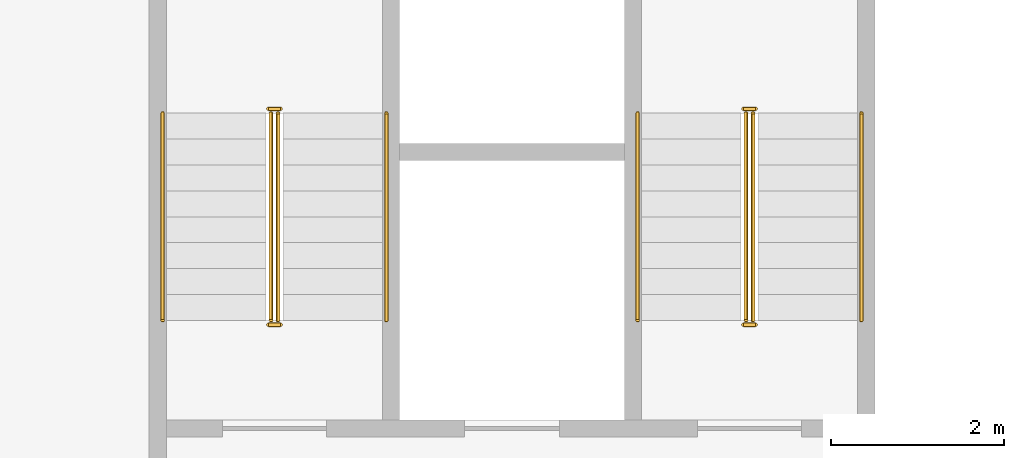
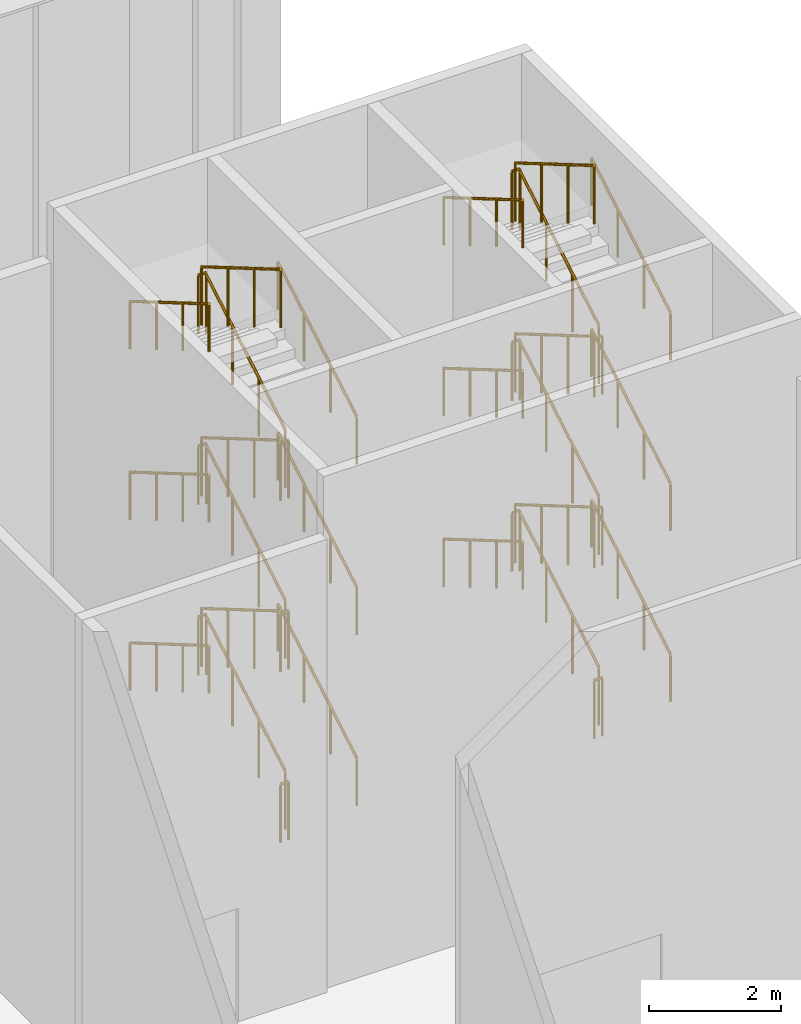
# One storey, part 109 of 114: 36 railings.
"""IFC4 building model written with IfcOpenShell, lengths in metres."""

from ifc_helpers import new_model, si_unit, direction, frame, origin, origin_2d, place, context, subcontext, project, spatial, circle, extrude, material, type_object, element, save


model = new_model("IFC4")

# Units and contexts
model_context = context("Model", 3, precision=1e-05, world=origin(), true_north=direction((0.0, 1.0)))
body_context = subcontext(model_context, "Body", "Model", "MODEL_VIEW")
ifc_project = project(units=[si_unit("LENGTHUNIT", "METRE"), si_unit("AREAUNIT", "SQUARE_METRE"), si_unit("VOLUMEUNIT", "CUBIC_METRE"), si_unit("PLANEANGLEUNIT", "RADIAN"), si_unit("MASSUNIT", "GRAM", prefix="KILO")], contexts=[model_context])

# Site, building, storey
site_placement = place(None, origin())
site = spatial("IfcSite", under=ifc_project, at=site_placement, CompositionType="ELEMENT")
building_placement = place(site_placement, origin())
building = spatial("IfcBuilding", under=site, at=building_placement, Name="Almond Square Museum", CompositionType="ELEMENT")
storey_placement = place(building_placement, frame((0.0, 0.0, 10.5)))
storey = spatial("IfcBuildingStorey", under=building, at=storey_placement, Name="L02", CompositionType="ELEMENT", Elevation=10.5)

# Railings
ifc_material_1 = material(Name="Stainless steel and laminated glass", Category="steel")
railing_type_1 = type_object("IfcRailingType", Name="Stair guard 1100 steel and glass", PredefinedType="GUARDRAIL", material=ifc_material_1)
railing_1_placement = place(storey_placement, frame((150.2900390625, 37.35009765625, 0.176025390625)))
element("IfcRailing", 1, at=railing_1_placement, inside=storey, type_object=railing_type_1, Name="L02 ST-33 stair guard 1", PredefinedType="GUARDRAIL", context=body_context, shape_type="SweptSolid", body=[
    extrude(circle(Radius=0.02392578125, at=origin_2d()), frame((0.0, 0.0, 1.076171875), z_axis=(0.0, 0.862637233918, 0.505823094232), x_axis=(-1.0, 0.0, 0.0)), (0.0, 0.0, 1.0), 2.781982421875),
    extrude(circle(Radius=0.02099609375, at=origin_2d()), origin(), (0.0, 0.0, 1.0), 1.052001953125),
    extrude(circle(Radius=0.02099609375, at=origin_2d()), frame((0.0, 0.800048828125, 0.468994140625)), (0.0, 0.0, 1.0), 1.052001953125),
    extrude(circle(Radius=0.02099609375, at=origin_2d()), frame((0.0, 1.599853515625, 0.938232421875)), (0.0, 0.0, 1.0), 1.052001953125),
    extrude(circle(Radius=0.02099609375, at=origin_2d()), frame((0.0, 2.39990234375, 1.4072265625)), (0.0, 0.0, 1.0), 1.052001953125),
])
railing_2_placement = place(storey_placement, frame((150.320068359375, 39.800048828125, 1.583251953125)))
element("IfcRailing", 2, at=railing_2_placement, inside=storey, type_object=railing_type_1, Name="L02 ST-33 stair guard 2", PredefinedType="GUARDRAIL", context=body_context, shape_type="SweptSolid", body=[
    extrude(circle(Radius=0.02392578125, at=origin_2d()), frame((0.0, 0.0, 1.076171875), z_axis=(-1.0, 0.0, 0.0), x_axis=(0.0, -1.0, 0.0)), (0.0, 0.0, 1.0), 0.14013671875),
    extrude(circle(Radius=0.02099609375, at=origin_2d()), origin(), (0.0, 0.0, 1.0), 1.052001953125),
    extrude(circle(Radius=0.02099609375, at=origin_2d()), frame((-0.14013671875, 0.0, 0.0)), (0.0, 0.0, 1.0), 1.052001953125),
])
railing_3_placement = place(storey_placement, frame((150.2099609375, 39.75, 1.75927734375)))
element("IfcRailing", 3, at=railing_3_placement, inside=storey, type_object=railing_type_1, Name="L02 ST-33 stair guard 3", PredefinedType="GUARDRAIL", context=body_context, shape_type="SweptSolid", body=[
    extrude(circle(Radius=0.02392578125, at=origin_2d()), frame((0.0, 0.0, 1.076171875), z_axis=(0.0, -0.86259894172, 0.505888392576), x_axis=(1.0, 0.0, 0.0)), (0.0, 0.0, 1.0), 2.7822265625),
    extrude(circle(Radius=0.02099609375, at=origin_2d()), origin(), (0.0, 0.0, 1.0), 1.052001953125),
    extrude(circle(Radius=0.02099609375, at=origin_2d()), frame((0.0, -0.800048828125, 0.46923828125)), (0.0, 0.0, 1.0), 1.052001953125),
    extrude(circle(Radius=0.02099609375, at=origin_2d()), frame((0.0, -1.599853515625, 0.938232421875)), (0.0, 0.0, 1.0), 1.052001953125),
    extrude(circle(Radius=0.02099609375, at=origin_2d()), frame((0.0, -2.39990234375, 1.407470703125)), (0.0, 0.0, 1.0), 1.052001953125),
])
railing_4_placement = place(storey_placement, frame((150.320068359375, 37.300048828125, 3.166748046875)))
element("IfcRailing", 4, at=railing_4_placement, inside=storey, type_object=railing_type_1, Name="L02 ST-33 stair guard 4", PredefinedType="GUARDRAIL", context=body_context, shape_type="SweptSolid", body=[
    extrude(circle(Radius=0.02392578125, at=origin_2d()), frame((0.0, 0.0, 1.076171875), z_axis=(-1.0, 0.0, 0.0), x_axis=(0.0, -1.0, 0.0)), (0.0, 0.0, 1.0), 0.14013671875),
    extrude(circle(Radius=0.02099609375, at=origin_2d()), origin(), (0.0, 0.0, 1.0), 1.052001953125),
    extrude(circle(Radius=0.02099609375, at=origin_2d()), frame((-0.14013671875, 0.0, 0.0)), (0.0, 0.0, 1.0), 1.052001953125),
])
railing_5_placement = place(storey_placement, frame((150.2900390625, 37.35009765625, 3.342529296875)))
element("IfcRailing", 5, at=railing_5_placement, inside=storey, type_object=railing_type_1, Name="L02 ST-33 stair guard 5", PredefinedType="GUARDRAIL", context=body_context, shape_type="SweptSolid", body=[
    extrude(circle(Radius=0.02392578125, at=origin_2d()), frame((0.0, 0.0, 1.076171875), z_axis=(0.0, 0.86259894172, 0.505888392576), x_axis=(-1.0, 0.0, 0.0)), (0.0, 0.0, 1.0), 2.7822265625),
    extrude(circle(Radius=0.02099609375, at=origin_2d()), origin(), (0.0, 0.0, 1.0), 1.052001953125),
    extrude(circle(Radius=0.02099609375, at=origin_2d()), frame((0.0, 0.800048828125, 0.46923828125)), (0.0, 0.0, 1.0), 1.052001953125),
    extrude(circle(Radius=0.02099609375, at=origin_2d()), frame((0.0, 1.599853515625, 0.938232421875)), (0.0, 0.0, 1.0), 1.052001953125),
    extrude(circle(Radius=0.02099609375, at=origin_2d()), frame((0.0, 2.39990234375, 1.407470703125)), (0.0, 0.0, 1.0), 1.052001953125),
])
railing_6_placement = place(storey_placement, frame((150.320068359375, 39.800048828125, 4.75)))
element("IfcRailing", 6, at=railing_6_placement, inside=storey, type_object=railing_type_1, Name="L02 ST-33 stair guard 6", PredefinedType="GUARDRAIL", context=body_context, shape_type="SweptSolid", body=[
    extrude(circle(Radius=0.02392578125, at=origin_2d()), frame((0.0, 0.0, 1.076171875), z_axis=(-1.0, 0.0, 0.0), x_axis=(0.0, -1.0, 0.0)), (0.0, 0.0, 1.0), 0.14013671875),
    extrude(circle(Radius=0.02099609375, at=origin_2d()), origin(), (0.0, 0.0, 1.0), 1.052001953125),
    extrude(circle(Radius=0.02099609375, at=origin_2d()), frame((-0.14013671875, 0.0, 0.0)), (0.0, 0.0, 1.0), 1.052001953125),
])
railing_7_placement = place(storey_placement, frame((150.2099609375, 39.75, 4.926025390625)))
element("IfcRailing", 7, at=railing_7_placement, inside=storey, type_object=railing_type_1, Name="L02 ST-33 stair guard 7", PredefinedType="GUARDRAIL", context=body_context, shape_type="SweptSolid", body=[
    extrude(circle(Radius=0.02392578125, at=origin_2d()), frame((0.0, 0.0, 1.076171875), z_axis=(0.0, -0.862637233918, 0.505823094232), x_axis=(1.0, 0.0, 0.0)), (0.0, 0.0, 1.0), 2.781982421875),
    extrude(circle(Radius=0.02099609375, at=origin_2d()), origin(), (0.0, 0.0, 1.0), 1.052001953125),
    extrude(circle(Radius=0.02099609375, at=origin_2d()), frame((0.0, -0.800048828125, 0.468994140625)), (0.0, 0.0, 1.0), 1.052001953125),
    extrude(circle(Radius=0.02099609375, at=origin_2d()), frame((0.0, -1.599853515625, 0.938232421875)), (0.0, 0.0, 1.0), 1.052001953125),
    extrude(circle(Radius=0.02099609375, at=origin_2d()), frame((0.0, -2.39990234375, 1.4072265625)), (0.0, 0.0, 1.0), 1.052001953125),
])
railing_8_placement = place(storey_placement, frame((150.320068359375, 37.300048828125, 6.333251953125)))
element("IfcRailing", 8, at=railing_8_placement, inside=storey, type_object=railing_type_1, Name="L02 ST-33 stair guard 8", PredefinedType="GUARDRAIL", context=body_context, shape_type="SweptSolid", body=[
    extrude(circle(Radius=0.02392578125, at=origin_2d()), frame((0.0, 0.0, 1.076171875), z_axis=(-1.0, 0.0, 0.0), x_axis=(0.0, -1.0, 0.0)), (0.0, 0.0, 1.0), 0.14013671875),
    extrude(circle(Radius=0.02099609375, at=origin_2d()), origin(), (0.0, 0.0, 1.0), 1.052001953125),
    extrude(circle(Radius=0.02099609375, at=origin_2d()), frame((-0.14013671875, 0.0, 0.0)), (0.0, 0.0, 1.0), 1.052001953125),
])
railing_9_placement = place(storey_placement, frame((150.2900390625, 37.35009765625, 6.50927734375)))
element("IfcRailing", 9, at=railing_9_placement, inside=storey, type_object=railing_type_1, Name="L02 ST-33 stair guard 9", PredefinedType="GUARDRAIL", context=body_context, shape_type="SweptSolid", body=[
    extrude(circle(Radius=0.02392578125, at=origin_2d()), frame((0.0, 0.0, 1.076171875), z_axis=(0.0, 0.86259894172, 0.505888392576), x_axis=(-1.0, 0.0, 0.0)), (0.0, 0.0, 1.0), 2.7822265625),
    extrude(circle(Radius=0.02099609375, at=origin_2d()), origin(), (0.0, 0.0, 1.0), 1.052001953125),
    extrude(circle(Radius=0.02099609375, at=origin_2d()), frame((0.0, 0.800048828125, 0.46923828125)), (0.0, 0.0, 1.0), 1.052001953125),
    extrude(circle(Radius=0.02099609375, at=origin_2d()), frame((0.0, 1.599853515625, 0.938232421875)), (0.0, 0.0, 1.0), 1.052001953125),
    extrude(circle(Radius=0.02099609375, at=origin_2d()), frame((0.0, 2.39990234375, 1.407470703125)), (0.0, 0.0, 1.0), 1.052001953125),
])
railing_10_placement = place(storey_placement, frame((150.320068359375, 39.800048828125, 7.916748046875)))
element("IfcRailing", 10, at=railing_10_placement, inside=storey, type_object=railing_type_1, Name="L02 ST-33 stair guard 10", PredefinedType="GUARDRAIL", context=body_context, shape_type="SweptSolid", body=[
    extrude(circle(Radius=0.02392578125, at=origin_2d()), frame((0.0, 0.0, 1.076171875), z_axis=(-1.0, 0.0, 0.0), x_axis=(0.0, -1.0, 0.0)), (0.0, 0.0, 1.0), 0.14013671875),
    extrude(circle(Radius=0.02099609375, at=origin_2d()), origin(), (0.0, 0.0, 1.0), 1.052001953125),
    extrude(circle(Radius=0.02099609375, at=origin_2d()), frame((-0.14013671875, 0.0, 0.0)), (0.0, 0.0, 1.0), 1.052001953125),
])
railing_11_placement = place(storey_placement, frame((150.2099609375, 39.75, 8.092529296875)))
element("IfcRailing", 11, at=railing_11_placement, inside=storey, type_object=railing_type_1, Name="L02 ST-33 stair guard 11", PredefinedType="GUARDRAIL", context=body_context, shape_type="SweptSolid", body=[
    extrude(circle(Radius=0.02392578125, at=origin_2d()), frame((0.0, 0.0, 1.076171875), z_axis=(0.0, -0.86259894172, 0.505888392576), x_axis=(1.0, 0.0, 0.0)), (0.0, 0.0, 1.0), 2.7822265625),
    extrude(circle(Radius=0.02099609375, at=origin_2d()), origin(), (0.0, 0.0, 1.0), 1.052001953125),
    extrude(circle(Radius=0.02099609375, at=origin_2d()), frame((0.0, -0.800048828125, 0.46923828125)), (0.0, 0.0, 1.0), 1.052001953125),
    extrude(circle(Radius=0.02099609375, at=origin_2d()), frame((0.0, -1.599853515625, 0.938232421875)), (0.0, 0.0, 1.0), 1.052001953125),
    extrude(circle(Radius=0.02099609375, at=origin_2d()), frame((0.0, -2.39990234375, 1.407470703125)), (0.0, 0.0, 1.0), 1.052001953125),
])
railing_12_placement = place(storey_placement, frame((150.320068359375, 37.300048828125, 0.0)))
element("IfcRailing", 12, at=railing_12_placement, inside=storey, type_object=railing_type_1, Name="L02 ST-33 stair guard 12", PredefinedType="GUARDRAIL", context=body_context, shape_type="SweptSolid", body=[
    extrude(circle(Radius=0.02392578125, at=origin_2d()), frame((0.0, 0.0, 1.076171875), z_axis=(-1.0, 0.0, 0.0), x_axis=(0.0, -1.0, 0.0)), (0.0, 0.0, 1.0), 0.14013671875),
    extrude(circle(Radius=0.02099609375, at=origin_2d()), origin(), (0.0, 0.0, 1.0), 1.052001953125),
    extrude(circle(Radius=0.02099609375, at=origin_2d()), frame((-0.14013671875, 0.0, 0.0)), (0.0, 0.0, 1.0), 1.052001953125),
])
railing_13_placement = place(storey_placement, frame((155.7900390625, 37.35009765625, 0.176025390625)))
element("IfcRailing", 13, at=railing_13_placement, inside=storey, type_object=railing_type_1, Name="L02 ST-34 stair guard 1", PredefinedType="GUARDRAIL", context=body_context, shape_type="SweptSolid", body=[
    extrude(circle(Radius=0.02392578125, at=origin_2d()), frame((0.0, 0.0, 1.076171875), z_axis=(0.0, 0.862637233918, 0.505823094232), x_axis=(-1.0, 0.0, 0.0)), (0.0, 0.0, 1.0), 2.781982421875),
    extrude(circle(Radius=0.02099609375, at=origin_2d()), origin(), (0.0, 0.0, 1.0), 1.052001953125),
    extrude(circle(Radius=0.02099609375, at=origin_2d()), frame((0.0, 0.800048828125, 0.468994140625)), (0.0, 0.0, 1.0), 1.052001953125),
    extrude(circle(Radius=0.02099609375, at=origin_2d()), frame((0.0, 1.599853515625, 0.938232421875)), (0.0, 0.0, 1.0), 1.052001953125),
    extrude(circle(Radius=0.02099609375, at=origin_2d()), frame((0.0, 2.39990234375, 1.4072265625)), (0.0, 0.0, 1.0), 1.052001953125),
])
railing_14_placement = place(storey_placement, frame((155.820068359375, 39.800048828125, 1.583251953125)))
element("IfcRailing", 14, at=railing_14_placement, inside=storey, type_object=railing_type_1, Name="L02 ST-34 stair guard 2", PredefinedType="GUARDRAIL", context=body_context, shape_type="SweptSolid", body=[
    extrude(circle(Radius=0.02392578125, at=origin_2d()), frame((0.0, 0.0, 1.076171875), z_axis=(-1.0, 0.0, 0.0), x_axis=(0.0, -1.0, 0.0)), (0.0, 0.0, 1.0), 0.14013671875),
    extrude(circle(Radius=0.02099609375, at=origin_2d()), origin(), (0.0, 0.0, 1.0), 1.052001953125),
    extrude(circle(Radius=0.02099609375, at=origin_2d()), frame((-0.14013671875, 0.0, 0.0)), (0.0, 0.0, 1.0), 1.052001953125),
])
railing_15_placement = place(storey_placement, frame((155.7099609375, 39.75, 1.75927734375)))
element("IfcRailing", 15, at=railing_15_placement, inside=storey, type_object=railing_type_1, Name="L02 ST-34 stair guard 3", PredefinedType="GUARDRAIL", context=body_context, shape_type="SweptSolid", body=[
    extrude(circle(Radius=0.02392578125, at=origin_2d()), frame((0.0, 0.0, 1.076171875), z_axis=(0.0, -0.86259894172, 0.505888392576), x_axis=(1.0, 0.0, 0.0)), (0.0, 0.0, 1.0), 2.7822265625),
    extrude(circle(Radius=0.02099609375, at=origin_2d()), origin(), (0.0, 0.0, 1.0), 1.052001953125),
    extrude(circle(Radius=0.02099609375, at=origin_2d()), frame((0.0, -0.800048828125, 0.46923828125)), (0.0, 0.0, 1.0), 1.052001953125),
    extrude(circle(Radius=0.02099609375, at=origin_2d()), frame((0.0, -1.599853515625, 0.938232421875)), (0.0, 0.0, 1.0), 1.052001953125),
    extrude(circle(Radius=0.02099609375, at=origin_2d()), frame((0.0, -2.39990234375, 1.407470703125)), (0.0, 0.0, 1.0), 1.052001953125),
])
railing_16_placement = place(storey_placement, frame((155.820068359375, 37.300048828125, 3.166748046875)))
element("IfcRailing", 16, at=railing_16_placement, inside=storey, type_object=railing_type_1, Name="L02 ST-34 stair guard 4", PredefinedType="GUARDRAIL", context=body_context, shape_type="SweptSolid", body=[
    extrude(circle(Radius=0.02392578125, at=origin_2d()), frame((0.0, 0.0, 1.076171875), z_axis=(-1.0, 0.0, 0.0), x_axis=(0.0, -1.0, 0.0)), (0.0, 0.0, 1.0), 0.14013671875),
    extrude(circle(Radius=0.02099609375, at=origin_2d()), origin(), (0.0, 0.0, 1.0), 1.052001953125),
    extrude(circle(Radius=0.02099609375, at=origin_2d()), frame((-0.14013671875, 0.0, 0.0)), (0.0, 0.0, 1.0), 1.052001953125),
])
railing_17_placement = place(storey_placement, frame((155.7900390625, 37.35009765625, 3.342529296875)))
element("IfcRailing", 17, at=railing_17_placement, inside=storey, type_object=railing_type_1, Name="L02 ST-34 stair guard 5", PredefinedType="GUARDRAIL", context=body_context, shape_type="SweptSolid", body=[
    extrude(circle(Radius=0.02392578125, at=origin_2d()), frame((0.0, 0.0, 1.076171875), z_axis=(0.0, 0.86259894172, 0.505888392576), x_axis=(-1.0, 0.0, 0.0)), (0.0, 0.0, 1.0), 2.7822265625),
    extrude(circle(Radius=0.02099609375, at=origin_2d()), origin(), (0.0, 0.0, 1.0), 1.052001953125),
    extrude(circle(Radius=0.02099609375, at=origin_2d()), frame((0.0, 0.800048828125, 0.46923828125)), (0.0, 0.0, 1.0), 1.052001953125),
    extrude(circle(Radius=0.02099609375, at=origin_2d()), frame((0.0, 1.599853515625, 0.938232421875)), (0.0, 0.0, 1.0), 1.052001953125),
    extrude(circle(Radius=0.02099609375, at=origin_2d()), frame((0.0, 2.39990234375, 1.407470703125)), (0.0, 0.0, 1.0), 1.052001953125),
])
railing_18_placement = place(storey_placement, frame((155.820068359375, 39.800048828125, 4.75)))
element("IfcRailing", 18, at=railing_18_placement, inside=storey, type_object=railing_type_1, Name="L02 ST-34 stair guard 6", PredefinedType="GUARDRAIL", context=body_context, shape_type="SweptSolid", body=[
    extrude(circle(Radius=0.02392578125, at=origin_2d()), frame((0.0, 0.0, 1.076171875), z_axis=(-1.0, 0.0, 0.0), x_axis=(0.0, -1.0, 0.0)), (0.0, 0.0, 1.0), 0.14013671875),
    extrude(circle(Radius=0.02099609375, at=origin_2d()), origin(), (0.0, 0.0, 1.0), 1.052001953125),
    extrude(circle(Radius=0.02099609375, at=origin_2d()), frame((-0.14013671875, 0.0, 0.0)), (0.0, 0.0, 1.0), 1.052001953125),
])
railing_19_placement = place(storey_placement, frame((155.7099609375, 39.75, 4.926025390625)))
element("IfcRailing", 19, at=railing_19_placement, inside=storey, type_object=railing_type_1, Name="L02 ST-34 stair guard 7", PredefinedType="GUARDRAIL", context=body_context, shape_type="SweptSolid", body=[
    extrude(circle(Radius=0.02392578125, at=origin_2d()), frame((0.0, 0.0, 1.076171875), z_axis=(0.0, -0.862637233918, 0.505823094232), x_axis=(1.0, 0.0, 0.0)), (0.0, 0.0, 1.0), 2.781982421875),
    extrude(circle(Radius=0.02099609375, at=origin_2d()), origin(), (0.0, 0.0, 1.0), 1.052001953125),
    extrude(circle(Radius=0.02099609375, at=origin_2d()), frame((0.0, -0.800048828125, 0.468994140625)), (0.0, 0.0, 1.0), 1.052001953125),
    extrude(circle(Radius=0.02099609375, at=origin_2d()), frame((0.0, -1.599853515625, 0.938232421875)), (0.0, 0.0, 1.0), 1.052001953125),
    extrude(circle(Radius=0.02099609375, at=origin_2d()), frame((0.0, -2.39990234375, 1.4072265625)), (0.0, 0.0, 1.0), 1.052001953125),
])
railing_20_placement = place(storey_placement, frame((155.820068359375, 37.300048828125, 6.333251953125)))
element("IfcRailing", 20, at=railing_20_placement, inside=storey, type_object=railing_type_1, Name="L02 ST-34 stair guard 8", PredefinedType="GUARDRAIL", context=body_context, shape_type="SweptSolid", body=[
    extrude(circle(Radius=0.02392578125, at=origin_2d()), frame((0.0, 0.0, 1.076171875), z_axis=(-1.0, 0.0, 0.0), x_axis=(0.0, -1.0, 0.0)), (0.0, 0.0, 1.0), 0.14013671875),
    extrude(circle(Radius=0.02099609375, at=origin_2d()), origin(), (0.0, 0.0, 1.0), 1.052001953125),
    extrude(circle(Radius=0.02099609375, at=origin_2d()), frame((-0.14013671875, 0.0, 0.0)), (0.0, 0.0, 1.0), 1.052001953125),
])
railing_21_placement = place(storey_placement, frame((155.7900390625, 37.35009765625, 6.50927734375)))
element("IfcRailing", 21, at=railing_21_placement, inside=storey, type_object=railing_type_1, Name="L02 ST-34 stair guard 9", PredefinedType="GUARDRAIL", context=body_context, shape_type="SweptSolid", body=[
    extrude(circle(Radius=0.02392578125, at=origin_2d()), frame((0.0, 0.0, 1.076171875), z_axis=(0.0, 0.86259894172, 0.505888392576), x_axis=(-1.0, 0.0, 0.0)), (0.0, 0.0, 1.0), 2.7822265625),
    extrude(circle(Radius=0.02099609375, at=origin_2d()), origin(), (0.0, 0.0, 1.0), 1.052001953125),
    extrude(circle(Radius=0.02099609375, at=origin_2d()), frame((0.0, 0.800048828125, 0.46923828125)), (0.0, 0.0, 1.0), 1.052001953125),
    extrude(circle(Radius=0.02099609375, at=origin_2d()), frame((0.0, 1.599853515625, 0.938232421875)), (0.0, 0.0, 1.0), 1.052001953125),
    extrude(circle(Radius=0.02099609375, at=origin_2d()), frame((0.0, 2.39990234375, 1.407470703125)), (0.0, 0.0, 1.0), 1.052001953125),
])
railing_22_placement = place(storey_placement, frame((155.820068359375, 39.800048828125, 7.916748046875)))
element("IfcRailing", 22, at=railing_22_placement, inside=storey, type_object=railing_type_1, Name="L02 ST-34 stair guard 10", PredefinedType="GUARDRAIL", context=body_context, shape_type="SweptSolid", body=[
    extrude(circle(Radius=0.02392578125, at=origin_2d()), frame((0.0, 0.0, 1.076171875), z_axis=(-1.0, 0.0, 0.0), x_axis=(0.0, -1.0, 0.0)), (0.0, 0.0, 1.0), 0.14013671875),
    extrude(circle(Radius=0.02099609375, at=origin_2d()), origin(), (0.0, 0.0, 1.0), 1.052001953125),
    extrude(circle(Radius=0.02099609375, at=origin_2d()), frame((-0.14013671875, 0.0, 0.0)), (0.0, 0.0, 1.0), 1.052001953125),
])
railing_23_placement = place(storey_placement, frame((155.7099609375, 39.75, 8.092529296875)))
element("IfcRailing", 23, at=railing_23_placement, inside=storey, type_object=railing_type_1, Name="L02 ST-34 stair guard 11", PredefinedType="GUARDRAIL", context=body_context, shape_type="SweptSolid", body=[
    extrude(circle(Radius=0.02392578125, at=origin_2d()), frame((0.0, 0.0, 1.076171875), z_axis=(0.0, -0.86259894172, 0.505888392576), x_axis=(1.0, 0.0, 0.0)), (0.0, 0.0, 1.0), 2.7822265625),
    extrude(circle(Radius=0.02099609375, at=origin_2d()), origin(), (0.0, 0.0, 1.0), 1.052001953125),
    extrude(circle(Radius=0.02099609375, at=origin_2d()), frame((0.0, -0.800048828125, 0.46923828125)), (0.0, 0.0, 1.0), 1.052001953125),
    extrude(circle(Radius=0.02099609375, at=origin_2d()), frame((0.0, -1.599853515625, 0.938232421875)), (0.0, 0.0, 1.0), 1.052001953125),
    extrude(circle(Radius=0.02099609375, at=origin_2d()), frame((0.0, -2.39990234375, 1.407470703125)), (0.0, 0.0, 1.0), 1.052001953125),
])
railing_24_placement = place(storey_placement, frame((155.820068359375, 37.300048828125, 0.0)))
element("IfcRailing", 24, at=railing_24_placement, inside=storey, type_object=railing_type_1, Name="L02 ST-34 stair guard 12", PredefinedType="GUARDRAIL", context=body_context, shape_type="SweptSolid", body=[
    extrude(circle(Radius=0.02392578125, at=origin_2d()), frame((0.0, 0.0, 1.076171875), z_axis=(-1.0, 0.0, 0.0), x_axis=(0.0, -1.0, 0.0)), (0.0, 0.0, 1.0), 0.14013671875),
    extrude(circle(Radius=0.02099609375, at=origin_2d()), origin(), (0.0, 0.0, 1.0), 1.052001953125),
    extrude(circle(Radius=0.02099609375, at=origin_2d()), frame((-0.14013671875, 0.0, 0.0)), (0.0, 0.0, 1.0), 1.052001953125),
])
ifc_material_2 = material(Name="Stainless steel", Category="steel")
railing_type_2 = type_object("IfcRailingType", Name="Stair handrail 900 steel", PredefinedType="HANDRAIL", material=ifc_material_2)
railing_25_placement = place(storey_placement, frame((151.544921875, 37.35009765625, 0.176025390625)))
element("IfcRailing", 25, at=railing_25_placement, inside=storey, type_object=railing_type_2, Name="L02 ST-33 stair handrail 1", PredefinedType="HANDRAIL", context=body_context, shape_type="SweptSolid", body=[
    extrude(circle(Radius=0.02392578125, at=origin_2d()), frame((0.0, 0.0, 0.8759765625), z_axis=(0.0, 0.862637233918, 0.505823094232), x_axis=(-1.0, 0.0, 0.0)), (0.0, 0.0, 1.0), 2.781982421875),
    extrude(circle(Radius=0.02099609375, at=origin_2d()), origin(), (0.0, 0.0, 1.0), 0.851806640625),
    extrude(circle(Radius=0.02099609375, at=origin_2d()), frame((0.0, 0.800048828125, 0.468994140625)), (0.0, 0.0, 1.0), 0.851806640625),
    extrude(circle(Radius=0.02099609375, at=origin_2d()), frame((0.0, 1.599853515625, 0.938232421875)), (0.0, 0.0, 1.0), 0.851806640625),
    extrude(circle(Radius=0.02099609375, at=origin_2d()), frame((0.0, 2.39990234375, 1.4072265625)), (0.0, 0.0, 1.0), 0.851806640625),
])
railing_26_placement = place(storey_placement, frame((148.955078125, 39.75, 1.75927734375)))
element("IfcRailing", 26, at=railing_26_placement, inside=storey, type_object=railing_type_2, Name="L02 ST-33 stair handrail 2", PredefinedType="HANDRAIL", context=body_context, shape_type="SweptSolid", body=[
    extrude(circle(Radius=0.02392578125, at=origin_2d()), frame((0.0, 0.0, 0.8759765625), z_axis=(0.0, -0.86259894172, 0.505888392576), x_axis=(1.0, 0.0, 0.0)), (0.0, 0.0, 1.0), 2.7822265625),
    extrude(circle(Radius=0.02099609375, at=origin_2d()), origin(), (0.0, 0.0, 1.0), 0.851806640625),
    extrude(circle(Radius=0.02099609375, at=origin_2d()), frame((0.0, -0.800048828125, 0.46923828125)), (0.0, 0.0, 1.0), 0.851806640625),
    extrude(circle(Radius=0.02099609375, at=origin_2d()), frame((0.0, -1.599853515625, 0.938232421875)), (0.0, 0.0, 1.0), 0.851806640625),
    extrude(circle(Radius=0.02099609375, at=origin_2d()), frame((0.0, -2.39990234375, 1.407470703125)), (0.0, 0.0, 1.0), 0.851806640625),
])
railing_27_placement = place(storey_placement, frame((151.544921875, 37.35009765625, 3.342529296875)))
element("IfcRailing", 27, at=railing_27_placement, inside=storey, type_object=railing_type_2, Name="L02 ST-33 stair handrail 3", PredefinedType="HANDRAIL", context=body_context, shape_type="SweptSolid", body=[
    extrude(circle(Radius=0.02392578125, at=origin_2d()), frame((0.0, 0.0, 0.8759765625), z_axis=(0.0, 0.86259894172, 0.505888392576), x_axis=(-1.0, 0.0, 0.0)), (0.0, 0.0, 1.0), 2.7822265625),
    extrude(circle(Radius=0.02099609375, at=origin_2d()), origin(), (0.0, 0.0, 1.0), 0.851806640625),
    extrude(circle(Radius=0.02099609375, at=origin_2d()), frame((0.0, 0.800048828125, 0.46923828125)), (0.0, 0.0, 1.0), 0.851806640625),
    extrude(circle(Radius=0.02099609375, at=origin_2d()), frame((0.0, 1.599853515625, 0.938232421875)), (0.0, 0.0, 1.0), 0.851806640625),
    extrude(circle(Radius=0.02099609375, at=origin_2d()), frame((0.0, 2.39990234375, 1.407470703125)), (0.0, 0.0, 1.0), 0.851806640625),
])
railing_28_placement = place(storey_placement, frame((148.955078125, 39.75, 4.926025390625)))
element("IfcRailing", 28, at=railing_28_placement, inside=storey, type_object=railing_type_2, Name="L02 ST-33 stair handrail 4", PredefinedType="HANDRAIL", context=body_context, shape_type="SweptSolid", body=[
    extrude(circle(Radius=0.02392578125, at=origin_2d()), frame((0.0, 0.0, 0.8759765625), z_axis=(0.0, -0.862637233918, 0.505823094232), x_axis=(1.0, 0.0, 0.0)), (0.0, 0.0, 1.0), 2.781982421875),
    extrude(circle(Radius=0.02099609375, at=origin_2d()), origin(), (0.0, 0.0, 1.0), 0.851806640625),
    extrude(circle(Radius=0.02099609375, at=origin_2d()), frame((0.0, -0.800048828125, 0.468994140625)), (0.0, 0.0, 1.0), 0.851806640625),
    extrude(circle(Radius=0.02099609375, at=origin_2d()), frame((0.0, -1.599853515625, 0.938232421875)), (0.0, 0.0, 1.0), 0.851806640625),
    extrude(circle(Radius=0.02099609375, at=origin_2d()), frame((0.0, -2.39990234375, 1.4072265625)), (0.0, 0.0, 1.0), 0.851806640625),
])
railing_29_placement = place(storey_placement, frame((151.544921875, 37.35009765625, 6.50927734375)))
element("IfcRailing", 29, at=railing_29_placement, inside=storey, type_object=railing_type_2, Name="L02 ST-33 stair handrail 5", PredefinedType="HANDRAIL", context=body_context, shape_type="SweptSolid", body=[
    extrude(circle(Radius=0.02392578125, at=origin_2d()), frame((0.0, 0.0, 0.8759765625), z_axis=(0.0, 0.86259894172, 0.505888392576), x_axis=(-1.0, 0.0, 0.0)), (0.0, 0.0, 1.0), 2.7822265625),
    extrude(circle(Radius=0.02099609375, at=origin_2d()), origin(), (0.0, 0.0, 1.0), 0.851806640625),
    extrude(circle(Radius=0.02099609375, at=origin_2d()), frame((0.0, 0.800048828125, 0.46923828125)), (0.0, 0.0, 1.0), 0.851806640625),
    extrude(circle(Radius=0.02099609375, at=origin_2d()), frame((0.0, 1.599853515625, 0.938232421875)), (0.0, 0.0, 1.0), 0.851806640625),
    extrude(circle(Radius=0.02099609375, at=origin_2d()), frame((0.0, 2.39990234375, 1.407470703125)), (0.0, 0.0, 1.0), 0.851806640625),
])
railing_30_placement = place(storey_placement, frame((148.955078125, 39.75, 8.092529296875)))
element("IfcRailing", 30, at=railing_30_placement, inside=storey, type_object=railing_type_2, Name="L02 ST-33 stair handrail 6", PredefinedType="HANDRAIL", context=body_context, shape_type="SweptSolid", body=[
    extrude(circle(Radius=0.02392578125, at=origin_2d()), frame((0.0, 0.0, 0.8759765625), z_axis=(0.0, -0.86259894172, 0.505888392576), x_axis=(1.0, 0.0, 0.0)), (0.0, 0.0, 1.0), 2.7822265625),
    extrude(circle(Radius=0.02099609375, at=origin_2d()), origin(), (0.0, 0.0, 1.0), 0.851806640625),
    extrude(circle(Radius=0.02099609375, at=origin_2d()), frame((0.0, -0.800048828125, 0.46923828125)), (0.0, 0.0, 1.0), 0.851806640625),
    extrude(circle(Radius=0.02099609375, at=origin_2d()), frame((0.0, -1.599853515625, 0.938232421875)), (0.0, 0.0, 1.0), 0.851806640625),
    extrude(circle(Radius=0.02099609375, at=origin_2d()), frame((0.0, -2.39990234375, 1.407470703125)), (0.0, 0.0, 1.0), 0.851806640625),
])
railing_31_placement = place(storey_placement, frame((157.044921875, 37.35009765625, 0.176025390625)))
element("IfcRailing", 31, at=railing_31_placement, inside=storey, type_object=railing_type_2, Name="L02 ST-34 stair handrail 1", PredefinedType="HANDRAIL", context=body_context, shape_type="SweptSolid", body=[
    extrude(circle(Radius=0.02392578125, at=origin_2d()), frame((0.0, 0.0, 0.8759765625), z_axis=(0.0, 0.862637233918, 0.505823094232), x_axis=(-1.0, 0.0, 0.0)), (0.0, 0.0, 1.0), 2.781982421875),
    extrude(circle(Radius=0.02099609375, at=origin_2d()), origin(), (0.0, 0.0, 1.0), 0.851806640625),
    extrude(circle(Radius=0.02099609375, at=origin_2d()), frame((0.0, 0.800048828125, 0.468994140625)), (0.0, 0.0, 1.0), 0.851806640625),
    extrude(circle(Radius=0.02099609375, at=origin_2d()), frame((0.0, 1.599853515625, 0.938232421875)), (0.0, 0.0, 1.0), 0.851806640625),
    extrude(circle(Radius=0.02099609375, at=origin_2d()), frame((0.0, 2.39990234375, 1.4072265625)), (0.0, 0.0, 1.0), 0.851806640625),
])
railing_32_placement = place(storey_placement, frame((154.455078125, 39.75, 1.75927734375)))
element("IfcRailing", 32, at=railing_32_placement, inside=storey, type_object=railing_type_2, Name="L02 ST-34 stair handrail 2", PredefinedType="HANDRAIL", context=body_context, shape_type="SweptSolid", body=[
    extrude(circle(Radius=0.02392578125, at=origin_2d()), frame((0.0, 0.0, 0.8759765625), z_axis=(0.0, -0.86259894172, 0.505888392576), x_axis=(1.0, 0.0, 0.0)), (0.0, 0.0, 1.0), 2.7822265625),
    extrude(circle(Radius=0.02099609375, at=origin_2d()), origin(), (0.0, 0.0, 1.0), 0.851806640625),
    extrude(circle(Radius=0.02099609375, at=origin_2d()), frame((0.0, -0.800048828125, 0.46923828125)), (0.0, 0.0, 1.0), 0.851806640625),
    extrude(circle(Radius=0.02099609375, at=origin_2d()), frame((0.0, -1.599853515625, 0.938232421875)), (0.0, 0.0, 1.0), 0.851806640625),
    extrude(circle(Radius=0.02099609375, at=origin_2d()), frame((0.0, -2.39990234375, 1.407470703125)), (0.0, 0.0, 1.0), 0.851806640625),
])
railing_33_placement = place(storey_placement, frame((157.044921875, 37.35009765625, 3.342529296875)))
element("IfcRailing", 33, at=railing_33_placement, inside=storey, type_object=railing_type_2, Name="L02 ST-34 stair handrail 3", PredefinedType="HANDRAIL", context=body_context, shape_type="SweptSolid", body=[
    extrude(circle(Radius=0.02392578125, at=origin_2d()), frame((0.0, 0.0, 0.8759765625), z_axis=(0.0, 0.86259894172, 0.505888392576), x_axis=(-1.0, 0.0, 0.0)), (0.0, 0.0, 1.0), 2.7822265625),
    extrude(circle(Radius=0.02099609375, at=origin_2d()), origin(), (0.0, 0.0, 1.0), 0.851806640625),
    extrude(circle(Radius=0.02099609375, at=origin_2d()), frame((0.0, 0.800048828125, 0.46923828125)), (0.0, 0.0, 1.0), 0.851806640625),
    extrude(circle(Radius=0.02099609375, at=origin_2d()), frame((0.0, 1.599853515625, 0.938232421875)), (0.0, 0.0, 1.0), 0.851806640625),
    extrude(circle(Radius=0.02099609375, at=origin_2d()), frame((0.0, 2.39990234375, 1.407470703125)), (0.0, 0.0, 1.0), 0.851806640625),
])
railing_34_placement = place(storey_placement, frame((154.455078125, 39.75, 4.926025390625)))
element("IfcRailing", 34, at=railing_34_placement, inside=storey, type_object=railing_type_2, Name="L02 ST-34 stair handrail 4", PredefinedType="HANDRAIL", context=body_context, shape_type="SweptSolid", body=[
    extrude(circle(Radius=0.02392578125, at=origin_2d()), frame((0.0, 0.0, 0.8759765625), z_axis=(0.0, -0.862637233918, 0.505823094232), x_axis=(1.0, 0.0, 0.0)), (0.0, 0.0, 1.0), 2.781982421875),
    extrude(circle(Radius=0.02099609375, at=origin_2d()), origin(), (0.0, 0.0, 1.0), 0.851806640625),
    extrude(circle(Radius=0.02099609375, at=origin_2d()), frame((0.0, -0.800048828125, 0.468994140625)), (0.0, 0.0, 1.0), 0.851806640625),
    extrude(circle(Radius=0.02099609375, at=origin_2d()), frame((0.0, -1.599853515625, 0.938232421875)), (0.0, 0.0, 1.0), 0.851806640625),
    extrude(circle(Radius=0.02099609375, at=origin_2d()), frame((0.0, -2.39990234375, 1.4072265625)), (0.0, 0.0, 1.0), 0.851806640625),
])
railing_35_placement = place(storey_placement, frame((157.044921875, 37.35009765625, 6.50927734375)))
element("IfcRailing", 35, at=railing_35_placement, inside=storey, type_object=railing_type_2, Name="L02 ST-34 stair handrail 5", PredefinedType="HANDRAIL", context=body_context, shape_type="SweptSolid", body=[
    extrude(circle(Radius=0.02392578125, at=origin_2d()), frame((0.0, 0.0, 0.8759765625), z_axis=(0.0, 0.86259894172, 0.505888392576), x_axis=(-1.0, 0.0, 0.0)), (0.0, 0.0, 1.0), 2.7822265625),
    extrude(circle(Radius=0.02099609375, at=origin_2d()), origin(), (0.0, 0.0, 1.0), 0.851806640625),
    extrude(circle(Radius=0.02099609375, at=origin_2d()), frame((0.0, 0.800048828125, 0.46923828125)), (0.0, 0.0, 1.0), 0.851806640625),
    extrude(circle(Radius=0.02099609375, at=origin_2d()), frame((0.0, 1.599853515625, 0.938232421875)), (0.0, 0.0, 1.0), 0.851806640625),
    extrude(circle(Radius=0.02099609375, at=origin_2d()), frame((0.0, 2.39990234375, 1.407470703125)), (0.0, 0.0, 1.0), 0.851806640625),
])
railing_36_placement = place(storey_placement, frame((154.455078125, 39.75, 8.092529296875)))
element("IfcRailing", 36, at=railing_36_placement, inside=storey, type_object=railing_type_2, Name="L02 ST-34 stair handrail 6", PredefinedType="HANDRAIL", context=body_context, shape_type="SweptSolid", body=[
    extrude(circle(Radius=0.02392578125, at=origin_2d()), frame((0.0, 0.0, 0.8759765625), z_axis=(0.0, -0.86259894172, 0.505888392576), x_axis=(1.0, 0.0, 0.0)), (0.0, 0.0, 1.0), 2.7822265625),
    extrude(circle(Radius=0.02099609375, at=origin_2d()), origin(), (0.0, 0.0, 1.0), 0.851806640625),
    extrude(circle(Radius=0.02099609375, at=origin_2d()), frame((0.0, -0.800048828125, 0.46923828125)), (0.0, 0.0, 1.0), 0.851806640625),
    extrude(circle(Radius=0.02099609375, at=origin_2d()), frame((0.0, -1.599853515625, 0.938232421875)), (0.0, 0.0, 1.0), 0.851806640625),
    extrude(circle(Radius=0.02099609375, at=origin_2d()), frame((0.0, -2.39990234375, 1.407470703125)), (0.0, 0.0, 1.0), 0.851806640625),
])

save(model, "model.ifc")
